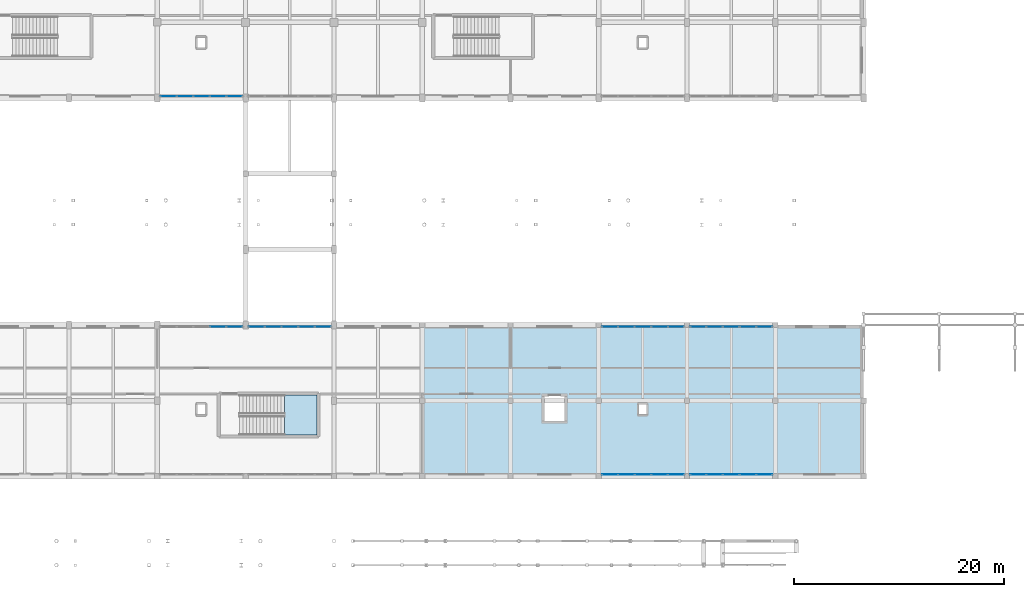
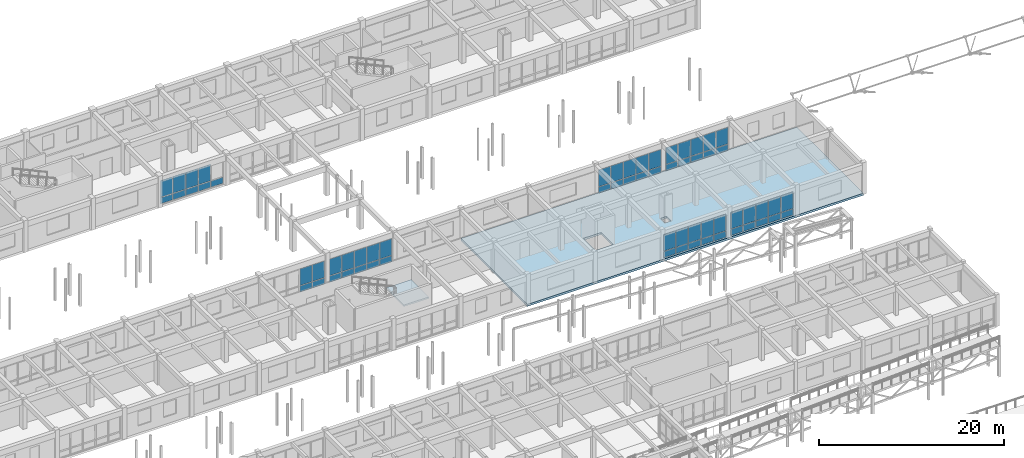
# One storey, part 61 of 90: 63 plates, 2 slabs, 8 elements without a shape of their own.
"""IFC4 building model written with IfcOpenShell, lengths in metres."""

from ifc_helpers import new_model, si_unit, direction, frame, origin, origin_2d, place, context, subcontext, project, spatial, polyline, rectangle, outline, extrude, material, layer, layer_set, type_object, element, aggregate, save


model = new_model("IFC4")

# Units and contexts
model_context = context("Model", 3, precision=1e-05, world=origin(), true_north=direction((0.0, 1.0)))
body_context = subcontext(model_context, "Body", "Model", "MODEL_VIEW")
ifc_project = project(units=[si_unit("LENGTHUNIT", "METRE"), si_unit("AREAUNIT", "SQUARE_METRE"), si_unit("VOLUMEUNIT", "CUBIC_METRE"), si_unit("PLANEANGLEUNIT", "RADIAN"), si_unit("MASSUNIT", "GRAM", prefix="KILO")], contexts=[model_context])

# Site, building, storey
site_placement = place(None, origin())
site = spatial("IfcSite", under=ifc_project, at=site_placement, CompositionType="ELEMENT")
building_placement = place(site_placement, origin())
building = spatial("IfcBuilding", under=site, at=building_placement, Name="Malvenik Polytechnic", CompositionType="ELEMENT")
storey_placement = place(building_placement, frame((0.0, 0.0, 9.300048828125)))
storey = spatial("IfcBuildingStorey", under=building, at=storey_placement, Name="L02", CompositionType="ELEMENT", Elevation=9.300048828125)

# Curtain wall, plates
ifc_material_1 = material(Name="Anodised aluminium 6060-T6", Category="aluminium")
curtain_wall_type = type_object("IfcCurtainWallType", Name="ARC-CW-CW-03", PredefinedType="NOTDEFINED", material=ifc_material_1)
curtain_wall_1_placement = place(storey_placement, origin())
curtain_wall_1 = element("IfcCurtainWall", 1, at=curtain_wall_1_placement, inside=storey, type_object=curtain_wall_type, Name="Unitised Curtain Wall CW-03 L02 #147", PredefinedType="NOTDEFINED")
ifc_material_2 = material(Name="Triple solar-control glazing 8-14-6-14-8", Category="glass")
ifc_layer_1 = layer(ifc_material_2, 0.035888671875)
ifc_layer_set_1 = layer_set([ifc_layer_1], Name="Triple solar-control glazing 8-14-6-14-8")
plate_type_1 = type_object("IfcPlateType", Name="ARC-CWP-CP-GLZ36", PredefinedType="CURTAIN_PANEL", material=ifc_layer_set_1)
plate_1_placement = place(storey_placement, frame((124.946533203125, 79.3701171875, 0.929931640625), z_axis=(0.0, 0.0, 1.0), x_axis=(-1.0, 0.0, 0.0)))
plate_1 = element("IfcPlate", 2, at=plate_1_placement, type_object=plate_type_1, Name="CW-03 panel 1.2", PredefinedType="CURTAIN_PANEL", context=body_context, shape_type="SweptSolid", body=[
    extrude(rectangle(XDim=1.49072265625, YDim=0.028076171875, at=origin_2d()), origin(), (0.0, 0.0, 1.0), 2.18994140625),
])
plate_2_placement = place(storey_placement, frame((123.380859375, 79.3701171875, 0.929931640625), z_axis=(0.0, 0.0, 1.0), x_axis=(-1.0, 0.0, 0.0)))
plate_2 = element("IfcPlate", 3, at=plate_2_placement, type_object=plate_type_1, Name="CW-03 panel 2.2", PredefinedType="CURTAIN_PANEL", context=body_context, shape_type="SweptSolid", body=[
    extrude(rectangle(XDim=1.520751953125, YDim=0.028076171875, at=origin_2d()), origin(), (0.0, 0.0, 1.0), 2.18994140625),
])
plate_3_placement = place(storey_placement, frame((121.800048828125, 79.3701171875, 0.929931640625), z_axis=(0.0, 0.0, 1.0), x_axis=(-1.0, 0.0, 0.0)))
plate_3 = element("IfcPlate", 4, at=plate_3_placement, type_object=plate_type_1, Name="CW-03 panel 3.2", PredefinedType="CURTAIN_PANEL", context=body_context, shape_type="SweptSolid", body=[
    extrude(rectangle(XDim=1.520751953125, YDim=0.028076171875, at=origin_2d()), origin(), (0.0, 0.0, 1.0), 2.18994140625),
])
plate_4_placement = place(storey_placement, frame((120.21923828125, 79.3701171875, 0.929931640625), z_axis=(0.0, 0.0, 1.0), x_axis=(-1.0, 0.0, 0.0)))
plate_4 = element("IfcPlate", 5, at=plate_4_placement, type_object=plate_type_1, Name="CW-03 panel 4.2", PredefinedType="CURTAIN_PANEL", context=body_context, shape_type="SweptSolid", body=[
    extrude(rectangle(XDim=1.520751953125, YDim=0.028076171875, at=origin_2d()), origin(), (0.0, 0.0, 1.0), 2.18994140625),
])
plate_5_placement = place(storey_placement, frame((118.6533203125, 79.3701171875, 0.929931640625), z_axis=(0.0, 0.0, 1.0), x_axis=(-1.0, 0.0, 0.0)))
plate_5 = element("IfcPlate", 6, at=plate_5_placement, type_object=plate_type_1, Name="CW-03 panel 5.2", PredefinedType="CURTAIN_PANEL", context=body_context, shape_type="SweptSolid", body=[
    extrude(rectangle(XDim=1.49072265625, YDim=0.028076171875, at=origin_2d()), origin(), (0.0, 0.0, 1.0), 2.18994140625),
])

curtain_wall_2_placement = place(storey_placement, origin())
curtain_wall_2 = element("IfcCurtainWall", 7, at=curtain_wall_2_placement, inside=storey, type_object=curtain_wall_type, Name="Unitised Curtain Wall CW-03 L02 #148", PredefinedType="NOTDEFINED")
plate_6_placement = place(storey_placement, frame((116.546630859375, 79.3701171875, 0.929931640625), z_axis=(0.0, 0.0, 1.0), x_axis=(-1.0, 0.0, 0.0)))
plate_6 = element("IfcPlate", 8, at=plate_6_placement, type_object=plate_type_1, Name="CW-03 panel 1.2", PredefinedType="CURTAIN_PANEL", context=body_context, shape_type="SweptSolid", body=[
    extrude(rectangle(XDim=1.49072265625, YDim=0.028076171875, at=origin_2d()), origin(), (0.0, 0.0, 1.0), 2.18994140625),
])
plate_7_placement = place(storey_placement, frame((114.980712890625, 79.3701171875, 0.929931640625), z_axis=(0.0, 0.0, 1.0), x_axis=(-1.0, 0.0, 0.0)))
plate_7 = element("IfcPlate", 9, at=plate_7_placement, type_object=plate_type_1, Name="CW-03 panel 2.2", PredefinedType="CURTAIN_PANEL", context=body_context, shape_type="SweptSolid", body=[
    extrude(rectangle(XDim=1.520751953125, YDim=0.028076171875, at=origin_2d()), origin(), (0.0, 0.0, 1.0), 2.18994140625),
])
plate_8_placement = place(storey_placement, frame((113.39990234375, 79.3701171875, 0.929931640625), z_axis=(0.0, 0.0, 1.0), x_axis=(-1.0, 0.0, 0.0)))
plate_8 = element("IfcPlate", 10, at=plate_8_placement, type_object=plate_type_1, Name="CW-03 panel 3.2", PredefinedType="CURTAIN_PANEL", context=body_context, shape_type="SweptSolid", body=[
    extrude(rectangle(XDim=1.520751953125, YDim=0.028076171875, at=origin_2d()), origin(), (0.0, 0.0, 1.0), 2.18994140625),
])
plate_9_placement = place(storey_placement, frame((111.819091796875, 79.3701171875, 0.929931640625), z_axis=(0.0, 0.0, 1.0), x_axis=(-1.0, 0.0, 0.0)))
plate_9 = element("IfcPlate", 11, at=plate_9_placement, type_object=plate_type_1, Name="CW-03 panel 4.2", PredefinedType="CURTAIN_PANEL", context=body_context, shape_type="SweptSolid", body=[
    extrude(rectangle(XDim=1.520751953125, YDim=0.028076171875, at=origin_2d()), origin(), (0.0, 0.0, 1.0), 2.18994140625),
])
plate_10_placement = place(storey_placement, frame((110.25341796875, 79.3701171875, 0.929931640625), z_axis=(0.0, 0.0, 1.0), x_axis=(-1.0, 0.0, 0.0)))
plate_10 = element("IfcPlate", 12, at=plate_10_placement, type_object=plate_type_1, Name="CW-03 panel 5.2", PredefinedType="CURTAIN_PANEL", context=body_context, shape_type="SweptSolid", body=[
    extrude(rectangle(XDim=1.49072265625, YDim=0.028076171875, at=origin_2d()), origin(), (0.0, 0.0, 1.0), 2.18994140625),
])

curtain_wall_3_placement = place(storey_placement, origin())
curtain_wall_3 = element("IfcCurtainWall", 13, at=curtain_wall_3_placement, inside=storey, type_object=curtain_wall_type, Name="Unitised Curtain Wall CW-03 L02 #153", PredefinedType="NOTDEFINED")
plate_11_placement = place(storey_placement, frame((72.980712890625, 93.429931640625, 0.929931640625), z_axis=(0.0, 0.0, 1.0), x_axis=(1.0, 0.0, 0.0)))
plate_11 = element("IfcPlate", 14, at=plate_11_placement, type_object=plate_type_1, Name="CW-03 panel 4.2", PredefinedType="CURTAIN_PANEL", context=body_context, shape_type="SweptSolid", body=[
    extrude(rectangle(XDim=1.520751953125, YDim=0.028076171875, at=origin_2d()), origin(), (0.0, 0.0, 1.0), 2.18994140625),
])
plate_12_placement = place(storey_placement, frame((74.546630859375, 93.429931640625, 0.929931640625), z_axis=(0.0, 0.0, 1.0), x_axis=(1.0, 0.0, 0.0)))
plate_12 = element("IfcPlate", 15, at=plate_12_placement, type_object=plate_type_1, Name="CW-03 panel 5.2", PredefinedType="CURTAIN_PANEL", context=body_context, shape_type="SweptSolid", body=[
    extrude(rectangle(XDim=1.49072265625, YDim=0.028076171875, at=origin_2d()), origin(), (0.0, 0.0, 1.0), 2.18994140625),
])

curtain_wall_4_placement = place(storey_placement, origin())
curtain_wall_4 = element("IfcCurtainWall", 16, at=curtain_wall_4_placement, inside=storey, type_object=curtain_wall_type, Name="Unitised Curtain Wall CW-03 L02 #154", PredefinedType="NOTDEFINED")
plate_13_placement = place(storey_placement, frame((76.6533203125, 93.429931640625, 0.929931640625), z_axis=(0.0, 0.0, 1.0), x_axis=(1.0, 0.0, 0.0)))
plate_13 = element("IfcPlate", 17, at=plate_13_placement, type_object=plate_type_1, Name="CW-03 panel 1.2", PredefinedType="CURTAIN_PANEL", context=body_context, shape_type="SweptSolid", body=[
    extrude(rectangle(XDim=1.49072265625, YDim=0.028076171875, at=origin_2d()), origin(), (0.0, 0.0, 1.0), 2.18994140625),
])
plate_14_placement = place(storey_placement, frame((78.21923828125, 93.429931640625, 0.929931640625), z_axis=(0.0, 0.0, 1.0), x_axis=(1.0, 0.0, 0.0)))
plate_14 = element("IfcPlate", 18, at=plate_14_placement, type_object=plate_type_1, Name="CW-03 panel 2.2", PredefinedType="CURTAIN_PANEL", context=body_context, shape_type="SweptSolid", body=[
    extrude(rectangle(XDim=1.520751953125, YDim=0.028076171875, at=origin_2d()), origin(), (0.0, 0.0, 1.0), 2.18994140625),
])
plate_15_placement = place(storey_placement, frame((79.800048828125, 93.429931640625, 0.929931640625), z_axis=(0.0, 0.0, 1.0), x_axis=(1.0, 0.0, 0.0)))
plate_15 = element("IfcPlate", 19, at=plate_15_placement, type_object=plate_type_1, Name="CW-03 panel 3.2", PredefinedType="CURTAIN_PANEL", context=body_context, shape_type="SweptSolid", body=[
    extrude(rectangle(XDim=1.520751953125, YDim=0.028076171875, at=origin_2d()), origin(), (0.0, 0.0, 1.0), 2.18994140625),
])
plate_16_placement = place(storey_placement, frame((81.380859375, 93.429931640625, 0.929931640625), z_axis=(0.0, 0.0, 1.0), x_axis=(1.0, 0.0, 0.0)))
plate_16 = element("IfcPlate", 20, at=plate_16_placement, type_object=plate_type_1, Name="CW-03 panel 4.2", PredefinedType="CURTAIN_PANEL", context=body_context, shape_type="SweptSolid", body=[
    extrude(rectangle(XDim=1.520751953125, YDim=0.028076171875, at=origin_2d()), origin(), (0.0, 0.0, 1.0), 2.18994140625),
])
plate_17_placement = place(storey_placement, frame((82.946533203125, 93.429931640625, 0.929931640625), z_axis=(0.0, 0.0, 1.0), x_axis=(1.0, 0.0, 0.0)))
plate_17 = element("IfcPlate", 21, at=plate_17_placement, type_object=plate_type_1, Name="CW-03 panel 5.2", PredefinedType="CURTAIN_PANEL", context=body_context, shape_type="SweptSolid", body=[
    extrude(rectangle(XDim=1.49072265625, YDim=0.028076171875, at=origin_2d()), origin(), (0.0, 0.0, 1.0), 2.18994140625),
])

curtain_wall_5_placement = place(storey_placement, origin())
curtain_wall_5 = element("IfcCurtainWall", 22, at=curtain_wall_5_placement, inside=storey, type_object=curtain_wall_type, Name="Unitised Curtain Wall CW-03 L02 #155", PredefinedType="NOTDEFINED")
plate_18_placement = place(storey_placement, frame((110.25341796875, 93.429931640625, 0.929931640625), z_axis=(0.0, 0.0, 1.0), x_axis=(1.0, 0.0, 0.0)))
plate_18 = element("IfcPlate", 23, at=plate_18_placement, type_object=plate_type_1, Name="CW-03 panel 1.2", PredefinedType="CURTAIN_PANEL", context=body_context, shape_type="SweptSolid", body=[
    extrude(rectangle(XDim=1.49072265625, YDim=0.028076171875, at=origin_2d()), origin(), (0.0, 0.0, 1.0), 2.18994140625),
])
plate_19_placement = place(storey_placement, frame((111.819091796875, 93.429931640625, 0.929931640625), z_axis=(0.0, 0.0, 1.0), x_axis=(1.0, 0.0, 0.0)))
plate_19 = element("IfcPlate", 24, at=plate_19_placement, type_object=plate_type_1, Name="CW-03 panel 2.2", PredefinedType="CURTAIN_PANEL", context=body_context, shape_type="SweptSolid", body=[
    extrude(rectangle(XDim=1.520751953125, YDim=0.028076171875, at=origin_2d()), origin(), (0.0, 0.0, 1.0), 2.18994140625),
])
plate_20_placement = place(storey_placement, frame((113.39990234375, 93.429931640625, 0.929931640625), z_axis=(0.0, 0.0, 1.0), x_axis=(1.0, 0.0, 0.0)))
plate_20 = element("IfcPlate", 25, at=plate_20_placement, type_object=plate_type_1, Name="CW-03 panel 3.2", PredefinedType="CURTAIN_PANEL", context=body_context, shape_type="SweptSolid", body=[
    extrude(rectangle(XDim=1.520751953125, YDim=0.028076171875, at=origin_2d()), origin(), (0.0, 0.0, 1.0), 2.18994140625),
])
plate_21_placement = place(storey_placement, frame((114.980712890625, 93.429931640625, 0.929931640625), z_axis=(0.0, 0.0, 1.0), x_axis=(1.0, 0.0, 0.0)))
plate_21 = element("IfcPlate", 26, at=plate_21_placement, type_object=plate_type_1, Name="CW-03 panel 4.2", PredefinedType="CURTAIN_PANEL", context=body_context, shape_type="SweptSolid", body=[
    extrude(rectangle(XDim=1.520751953125, YDim=0.028076171875, at=origin_2d()), origin(), (0.0, 0.0, 1.0), 2.18994140625),
])
plate_22_placement = place(storey_placement, frame((116.546630859375, 93.429931640625, 0.929931640625), z_axis=(0.0, 0.0, 1.0), x_axis=(1.0, 0.0, 0.0)))
plate_22 = element("IfcPlate", 27, at=plate_22_placement, type_object=plate_type_1, Name="CW-03 panel 5.2", PredefinedType="CURTAIN_PANEL", context=body_context, shape_type="SweptSolid", body=[
    extrude(rectangle(XDim=1.49072265625, YDim=0.028076171875, at=origin_2d()), origin(), (0.0, 0.0, 1.0), 2.18994140625),
])

curtain_wall_6_placement = place(storey_placement, origin())
curtain_wall_6 = element("IfcCurtainWall", 28, at=curtain_wall_6_placement, inside=storey, type_object=curtain_wall_type, Name="Unitised Curtain Wall CW-03 L02 #156", PredefinedType="NOTDEFINED")
plate_23_placement = place(storey_placement, frame((118.6533203125, 93.429931640625, 0.929931640625), z_axis=(0.0, 0.0, 1.0), x_axis=(1.0, 0.0, 0.0)))
plate_23 = element("IfcPlate", 29, at=plate_23_placement, type_object=plate_type_1, Name="CW-03 panel 1.2", PredefinedType="CURTAIN_PANEL", context=body_context, shape_type="SweptSolid", body=[
    extrude(rectangle(XDim=1.49072265625, YDim=0.028076171875, at=origin_2d()), origin(), (0.0, 0.0, 1.0), 2.18994140625),
])
plate_24_placement = place(storey_placement, frame((120.21923828125, 93.429931640625, 0.929931640625), z_axis=(0.0, 0.0, 1.0), x_axis=(1.0, 0.0, 0.0)))
plate_24 = element("IfcPlate", 30, at=plate_24_placement, type_object=plate_type_1, Name="CW-03 panel 2.2", PredefinedType="CURTAIN_PANEL", context=body_context, shape_type="SweptSolid", body=[
    extrude(rectangle(XDim=1.520751953125, YDim=0.028076171875, at=origin_2d()), origin(), (0.0, 0.0, 1.0), 2.18994140625),
])
plate_25_placement = place(storey_placement, frame((121.800048828125, 93.429931640625, 0.929931640625), z_axis=(0.0, 0.0, 1.0), x_axis=(1.0, 0.0, 0.0)))
plate_25 = element("IfcPlate", 31, at=plate_25_placement, type_object=plate_type_1, Name="CW-03 panel 3.2", PredefinedType="CURTAIN_PANEL", context=body_context, shape_type="SweptSolid", body=[
    extrude(rectangle(XDim=1.520751953125, YDim=0.028076171875, at=origin_2d()), origin(), (0.0, 0.0, 1.0), 2.18994140625),
])
plate_26_placement = place(storey_placement, frame((123.380859375, 93.429931640625, 0.929931640625), z_axis=(0.0, 0.0, 1.0), x_axis=(1.0, 0.0, 0.0)))
plate_26 = element("IfcPlate", 32, at=plate_26_placement, type_object=plate_type_1, Name="CW-03 panel 4.2", PredefinedType="CURTAIN_PANEL", context=body_context, shape_type="SweptSolid", body=[
    extrude(rectangle(XDim=1.520751953125, YDim=0.028076171875, at=origin_2d()), origin(), (0.0, 0.0, 1.0), 2.18994140625),
])
plate_27_placement = place(storey_placement, frame((124.946533203125, 93.429931640625, 0.929931640625), z_axis=(0.0, 0.0, 1.0), x_axis=(1.0, 0.0, 0.0)))
plate_27 = element("IfcPlate", 33, at=plate_27_placement, type_object=plate_type_1, Name="CW-03 panel 5.2", PredefinedType="CURTAIN_PANEL", context=body_context, shape_type="SweptSolid", body=[
    extrude(rectangle(XDim=1.49072265625, YDim=0.028076171875, at=origin_2d()), origin(), (0.0, 0.0, 1.0), 2.18994140625),
])

curtain_wall_7_placement = place(storey_placement, origin())
curtain_wall_7 = element("IfcCurtainWall", 34, at=curtain_wall_7_placement, inside=storey, type_object=curtain_wall_type, Name="Unitised Curtain Wall CW-03 L02 #160", PredefinedType="NOTDEFINED")
plate_28_placement = place(storey_placement, frame((72.980712890625, 115.3701171875, 0.929931640625), z_axis=(0.0, 0.0, 1.0), x_axis=(-1.0, 0.0, 0.0)))
plate_28 = element("IfcPlate", 35, at=plate_28_placement, type_object=plate_type_1, Name="CW-03 panel 2.2", PredefinedType="CURTAIN_PANEL", context=body_context, shape_type="SweptSolid", body=[
    extrude(rectangle(XDim=1.520751953125, YDim=0.028076171875, at=origin_2d()), origin(), (0.0, 0.0, 1.0), 2.18994140625),
])
plate_29_placement = place(storey_placement, frame((71.39990234375, 115.3701171875, 0.929931640625), z_axis=(0.0, 0.0, 1.0), x_axis=(-1.0, 0.0, 0.0)))
plate_29 = element("IfcPlate", 36, at=plate_29_placement, type_object=plate_type_1, Name="CW-03 panel 3.2", PredefinedType="CURTAIN_PANEL", context=body_context, shape_type="SweptSolid", body=[
    extrude(rectangle(XDim=1.520751953125, YDim=0.028076171875, at=origin_2d()), origin(), (0.0, 0.0, 1.0), 2.18994140625),
])
plate_30_placement = place(storey_placement, frame((69.819091796875, 115.3701171875, 0.929931640625), z_axis=(0.0, 0.0, 1.0), x_axis=(-1.0, 0.0, 0.0)))
plate_30 = element("IfcPlate", 37, at=plate_30_placement, type_object=plate_type_1, Name="CW-03 panel 4.2", PredefinedType="CURTAIN_PANEL", context=body_context, shape_type="SweptSolid", body=[
    extrude(rectangle(XDim=1.520751953125, YDim=0.028076171875, at=origin_2d()), origin(), (0.0, 0.0, 1.0), 2.18994140625),
])
plate_31_placement = place(storey_placement, frame((68.25341796875, 115.3701171875, 0.929931640625), z_axis=(0.0, 0.0, 1.0), x_axis=(-1.0, 0.0, 0.0)))
plate_31 = element("IfcPlate", 38, at=plate_31_placement, type_object=plate_type_1, Name="CW-03 panel 5.2", PredefinedType="CURTAIN_PANEL", context=body_context, shape_type="SweptSolid", body=[
    extrude(rectangle(XDim=1.49072265625, YDim=0.028076171875, at=origin_2d()), origin(), (0.0, 0.0, 1.0), 2.18994140625),
])

# Plate
ifc_material_3 = material(Name="Insulated aluminium spandrel cassette 42mm", Category="aluminium")
ifc_layer_2 = layer(ifc_material_3, 0.0419921875)
ifc_layer_set_2 = layer_set([ifc_layer_2], Name="Insulated aluminium spandrel cassette 42mm")
plate_type_2 = type_object("IfcPlateType", Name="ARC-CWP-CP-SPN42", PredefinedType="CURTAIN_PANEL", material=ifc_layer_set_2)
plate_32_placement = place(storey_placement, frame((124.946533203125, 79.3701171875, 0.059814453125), z_axis=(0.0, 0.0, 1.0), x_axis=(-1.0, 0.0, 0.0)))
plate_32 = element("IfcPlate", 39, at=plate_32_placement, type_object=plate_type_2, Name="CW-03 panel 1.1", PredefinedType="CURTAIN_PANEL", context=body_context, shape_type="SweptSolid", body=[
    extrude(rectangle(XDim=1.49072265625, YDim=0.028076171875, at=origin_2d()), origin(), (0.0, 0.0, 1.0), 0.81005859375),
])

plate_33_placement = place(storey_placement, frame((123.380859375, 79.3701171875, 0.059814453125), z_axis=(0.0, 0.0, 1.0), x_axis=(-1.0, 0.0, 0.0)))
plate_33 = element("IfcPlate", 40, at=plate_33_placement, type_object=plate_type_2, Name="CW-03 panel 2.1", PredefinedType="CURTAIN_PANEL", context=body_context, shape_type="SweptSolid", body=[
    extrude(rectangle(XDim=1.520751953125, YDim=0.028076171875, at=origin_2d()), origin(), (0.0, 0.0, 1.0), 0.81005859375),
])

plate_34_placement = place(storey_placement, frame((121.800048828125, 79.3701171875, 0.059814453125), z_axis=(0.0, 0.0, 1.0), x_axis=(-1.0, 0.0, 0.0)))
plate_34 = element("IfcPlate", 41, at=plate_34_placement, type_object=plate_type_2, Name="CW-03 panel 3.1", PredefinedType="CURTAIN_PANEL", context=body_context, shape_type="SweptSolid", body=[
    extrude(rectangle(XDim=1.520751953125, YDim=0.028076171875, at=origin_2d()), origin(), (0.0, 0.0, 1.0), 0.81005859375),
])

plate_35_placement = place(storey_placement, frame((120.21923828125, 79.3701171875, 0.059814453125), z_axis=(0.0, 0.0, 1.0), x_axis=(-1.0, 0.0, 0.0)))
plate_35 = element("IfcPlate", 42, at=plate_35_placement, type_object=plate_type_2, Name="CW-03 panel 4.1", PredefinedType="CURTAIN_PANEL", context=body_context, shape_type="SweptSolid", body=[
    extrude(rectangle(XDim=1.520751953125, YDim=0.028076171875, at=origin_2d()), origin(), (0.0, 0.0, 1.0), 0.81005859375),
])

plate_36_placement = place(storey_placement, frame((118.6533203125, 79.3701171875, 0.059814453125), z_axis=(0.0, 0.0, 1.0), x_axis=(-1.0, 0.0, 0.0)))
plate_36 = element("IfcPlate", 43, at=plate_36_placement, type_object=plate_type_2, Name="CW-03 panel 5.1", PredefinedType="CURTAIN_PANEL", context=body_context, shape_type="SweptSolid", body=[
    extrude(rectangle(XDim=1.49072265625, YDim=0.028076171875, at=origin_2d()), origin(), (0.0, 0.0, 1.0), 0.81005859375),
])

aggregate(curtain_wall_1, [plate_32, plate_1, plate_33, plate_2, plate_34, plate_3, plate_35, plate_4, plate_36, plate_5])

plate_37_placement = place(storey_placement, frame((116.546630859375, 79.3701171875, 0.059814453125), z_axis=(0.0, 0.0, 1.0), x_axis=(-1.0, 0.0, 0.0)))
plate_37 = element("IfcPlate", 44, at=plate_37_placement, type_object=plate_type_2, Name="CW-03 panel 1.1", PredefinedType="CURTAIN_PANEL", context=body_context, shape_type="SweptSolid", body=[
    extrude(rectangle(XDim=1.49072265625, YDim=0.028076171875, at=origin_2d()), origin(), (0.0, 0.0, 1.0), 0.81005859375),
])

plate_38_placement = place(storey_placement, frame((114.980712890625, 79.3701171875, 0.059814453125), z_axis=(0.0, 0.0, 1.0), x_axis=(-1.0, 0.0, 0.0)))
plate_38 = element("IfcPlate", 45, at=plate_38_placement, type_object=plate_type_2, Name="CW-03 panel 2.1", PredefinedType="CURTAIN_PANEL", context=body_context, shape_type="SweptSolid", body=[
    extrude(rectangle(XDim=1.520751953125, YDim=0.028076171875, at=origin_2d()), origin(), (0.0, 0.0, 1.0), 0.81005859375),
])

plate_39_placement = place(storey_placement, frame((113.39990234375, 79.3701171875, 0.059814453125), z_axis=(0.0, 0.0, 1.0), x_axis=(-1.0, 0.0, 0.0)))
plate_39 = element("IfcPlate", 46, at=plate_39_placement, type_object=plate_type_2, Name="CW-03 panel 3.1", PredefinedType="CURTAIN_PANEL", context=body_context, shape_type="SweptSolid", body=[
    extrude(rectangle(XDim=1.520751953125, YDim=0.028076171875, at=origin_2d()), origin(), (0.0, 0.0, 1.0), 0.81005859375),
])

plate_40_placement = place(storey_placement, frame((111.819091796875, 79.3701171875, 0.059814453125), z_axis=(0.0, 0.0, 1.0), x_axis=(-1.0, 0.0, 0.0)))
plate_40 = element("IfcPlate", 47, at=plate_40_placement, type_object=plate_type_2, Name="CW-03 panel 4.1", PredefinedType="CURTAIN_PANEL", context=body_context, shape_type="SweptSolid", body=[
    extrude(rectangle(XDim=1.520751953125, YDim=0.028076171875, at=origin_2d()), origin(), (0.0, 0.0, 1.0), 0.81005859375),
])

plate_41_placement = place(storey_placement, frame((110.25341796875, 79.3701171875, 0.059814453125), z_axis=(0.0, 0.0, 1.0), x_axis=(-1.0, 0.0, 0.0)))
plate_41 = element("IfcPlate", 48, at=plate_41_placement, type_object=plate_type_2, Name="CW-03 panel 5.1", PredefinedType="CURTAIN_PANEL", context=body_context, shape_type="SweptSolid", body=[
    extrude(rectangle(XDim=1.49072265625, YDim=0.028076171875, at=origin_2d()), origin(), (0.0, 0.0, 1.0), 0.81005859375),
])

aggregate(curtain_wall_2, [plate_37, plate_6, plate_38, plate_7, plate_39, plate_8, plate_40, plate_9, plate_41, plate_10])

plate_42_placement = place(storey_placement, frame((72.980712890625, 93.429931640625, 0.059814453125), z_axis=(0.0, 0.0, 1.0), x_axis=(1.0, 0.0, 0.0)))
plate_42 = element("IfcPlate", 49, at=plate_42_placement, type_object=plate_type_2, Name="CW-03 panel 4.1", PredefinedType="CURTAIN_PANEL", context=body_context, shape_type="SweptSolid", body=[
    extrude(rectangle(XDim=1.520751953125, YDim=0.028076171875, at=origin_2d()), origin(), (0.0, 0.0, 1.0), 0.81005859375),
])

plate_43_placement = place(storey_placement, frame((74.546630859375, 93.429931640625, 0.059814453125), z_axis=(0.0, 0.0, 1.0), x_axis=(1.0, 0.0, 0.0)))
plate_43 = element("IfcPlate", 50, at=plate_43_placement, type_object=plate_type_2, Name="CW-03 panel 5.1", PredefinedType="CURTAIN_PANEL", context=body_context, shape_type="SweptSolid", body=[
    extrude(rectangle(XDim=1.49072265625, YDim=0.028076171875, at=origin_2d()), origin(), (0.0, 0.0, 1.0), 0.81005859375),
])

aggregate(curtain_wall_3, [plate_42, plate_11, plate_43, plate_12])

plate_44_placement = place(storey_placement, frame((76.6533203125, 93.429931640625, 0.059814453125), z_axis=(0.0, 0.0, 1.0), x_axis=(1.0, 0.0, 0.0)))
plate_44 = element("IfcPlate", 51, at=plate_44_placement, type_object=plate_type_2, Name="CW-03 panel 1.1", PredefinedType="CURTAIN_PANEL", context=body_context, shape_type="SweptSolid", body=[
    extrude(rectangle(XDim=1.49072265625, YDim=0.028076171875, at=origin_2d()), origin(), (0.0, 0.0, 1.0), 0.81005859375),
])

plate_45_placement = place(storey_placement, frame((78.21923828125, 93.429931640625, 0.059814453125), z_axis=(0.0, 0.0, 1.0), x_axis=(1.0, 0.0, 0.0)))
plate_45 = element("IfcPlate", 52, at=plate_45_placement, type_object=plate_type_2, Name="CW-03 panel 2.1", PredefinedType="CURTAIN_PANEL", context=body_context, shape_type="SweptSolid", body=[
    extrude(rectangle(XDim=1.520751953125, YDim=0.028076171875, at=origin_2d()), origin(), (0.0, 0.0, 1.0), 0.81005859375),
])

plate_46_placement = place(storey_placement, frame((79.800048828125, 93.429931640625, 0.059814453125), z_axis=(0.0, 0.0, 1.0), x_axis=(1.0, 0.0, 0.0)))
plate_46 = element("IfcPlate", 53, at=plate_46_placement, type_object=plate_type_2, Name="CW-03 panel 3.1", PredefinedType="CURTAIN_PANEL", context=body_context, shape_type="SweptSolid", body=[
    extrude(rectangle(XDim=1.520751953125, YDim=0.028076171875, at=origin_2d()), origin(), (0.0, 0.0, 1.0), 0.81005859375),
])

plate_47_placement = place(storey_placement, frame((81.380859375, 93.429931640625, 0.059814453125), z_axis=(0.0, 0.0, 1.0), x_axis=(1.0, 0.0, 0.0)))
plate_47 = element("IfcPlate", 54, at=plate_47_placement, type_object=plate_type_2, Name="CW-03 panel 4.1", PredefinedType="CURTAIN_PANEL", context=body_context, shape_type="SweptSolid", body=[
    extrude(rectangle(XDim=1.520751953125, YDim=0.028076171875, at=origin_2d()), origin(), (0.0, 0.0, 1.0), 0.81005859375),
])

plate_48_placement = place(storey_placement, frame((82.946533203125, 93.429931640625, 0.059814453125), z_axis=(0.0, 0.0, 1.0), x_axis=(1.0, 0.0, 0.0)))
plate_48 = element("IfcPlate", 55, at=plate_48_placement, type_object=plate_type_2, Name="CW-03 panel 5.1", PredefinedType="CURTAIN_PANEL", context=body_context, shape_type="SweptSolid", body=[
    extrude(rectangle(XDim=1.49072265625, YDim=0.028076171875, at=origin_2d()), origin(), (0.0, 0.0, 1.0), 0.81005859375),
])

aggregate(curtain_wall_4, [plate_44, plate_13, plate_45, plate_14, plate_46, plate_15, plate_47, plate_16, plate_48, plate_17])

plate_49_placement = place(storey_placement, frame((110.25341796875, 93.429931640625, 0.059814453125), z_axis=(0.0, 0.0, 1.0), x_axis=(1.0, 0.0, 0.0)))
plate_49 = element("IfcPlate", 56, at=plate_49_placement, type_object=plate_type_2, Name="CW-03 panel 1.1", PredefinedType="CURTAIN_PANEL", context=body_context, shape_type="SweptSolid", body=[
    extrude(rectangle(XDim=1.49072265625, YDim=0.028076171875, at=origin_2d()), origin(), (0.0, 0.0, 1.0), 0.81005859375),
])

plate_50_placement = place(storey_placement, frame((111.819091796875, 93.429931640625, 0.059814453125), z_axis=(0.0, 0.0, 1.0), x_axis=(1.0, 0.0, 0.0)))
plate_50 = element("IfcPlate", 57, at=plate_50_placement, type_object=plate_type_2, Name="CW-03 panel 2.1", PredefinedType="CURTAIN_PANEL", context=body_context, shape_type="SweptSolid", body=[
    extrude(rectangle(XDim=1.520751953125, YDim=0.028076171875, at=origin_2d()), origin(), (0.0, 0.0, 1.0), 0.81005859375),
])

plate_51_placement = place(storey_placement, frame((113.39990234375, 93.429931640625, 0.059814453125), z_axis=(0.0, 0.0, 1.0), x_axis=(1.0, 0.0, 0.0)))
plate_51 = element("IfcPlate", 58, at=plate_51_placement, type_object=plate_type_2, Name="CW-03 panel 3.1", PredefinedType="CURTAIN_PANEL", context=body_context, shape_type="SweptSolid", body=[
    extrude(rectangle(XDim=1.520751953125, YDim=0.028076171875, at=origin_2d()), origin(), (0.0, 0.0, 1.0), 0.81005859375),
])

plate_52_placement = place(storey_placement, frame((114.980712890625, 93.429931640625, 0.059814453125), z_axis=(0.0, 0.0, 1.0), x_axis=(1.0, 0.0, 0.0)))
plate_52 = element("IfcPlate", 59, at=plate_52_placement, type_object=plate_type_2, Name="CW-03 panel 4.1", PredefinedType="CURTAIN_PANEL", context=body_context, shape_type="SweptSolid", body=[
    extrude(rectangle(XDim=1.520751953125, YDim=0.028076171875, at=origin_2d()), origin(), (0.0, 0.0, 1.0), 0.81005859375),
])

plate_53_placement = place(storey_placement, frame((116.546630859375, 93.429931640625, 0.059814453125), z_axis=(0.0, 0.0, 1.0), x_axis=(1.0, 0.0, 0.0)))
plate_53 = element("IfcPlate", 60, at=plate_53_placement, type_object=plate_type_2, Name="CW-03 panel 5.1", PredefinedType="CURTAIN_PANEL", context=body_context, shape_type="SweptSolid", body=[
    extrude(rectangle(XDim=1.49072265625, YDim=0.028076171875, at=origin_2d()), origin(), (0.0, 0.0, 1.0), 0.81005859375),
])

aggregate(curtain_wall_5, [plate_49, plate_18, plate_50, plate_19, plate_51, plate_20, plate_52, plate_21, plate_53, plate_22])

plate_54_placement = place(storey_placement, frame((118.6533203125, 93.429931640625, 0.059814453125), z_axis=(0.0, 0.0, 1.0), x_axis=(1.0, 0.0, 0.0)))
plate_54 = element("IfcPlate", 61, at=plate_54_placement, type_object=plate_type_2, Name="CW-03 panel 1.1", PredefinedType="CURTAIN_PANEL", context=body_context, shape_type="SweptSolid", body=[
    extrude(rectangle(XDim=1.49072265625, YDim=0.028076171875, at=origin_2d()), origin(), (0.0, 0.0, 1.0), 0.81005859375),
])

plate_55_placement = place(storey_placement, frame((120.21923828125, 93.429931640625, 0.059814453125), z_axis=(0.0, 0.0, 1.0), x_axis=(1.0, 0.0, 0.0)))
plate_55 = element("IfcPlate", 62, at=plate_55_placement, type_object=plate_type_2, Name="CW-03 panel 2.1", PredefinedType="CURTAIN_PANEL", context=body_context, shape_type="SweptSolid", body=[
    extrude(rectangle(XDim=1.520751953125, YDim=0.028076171875, at=origin_2d()), origin(), (0.0, 0.0, 1.0), 0.81005859375),
])

plate_56_placement = place(storey_placement, frame((121.800048828125, 93.429931640625, 0.059814453125), z_axis=(0.0, 0.0, 1.0), x_axis=(1.0, 0.0, 0.0)))
plate_56 = element("IfcPlate", 63, at=plate_56_placement, type_object=plate_type_2, Name="CW-03 panel 3.1", PredefinedType="CURTAIN_PANEL", context=body_context, shape_type="SweptSolid", body=[
    extrude(rectangle(XDim=1.520751953125, YDim=0.028076171875, at=origin_2d()), origin(), (0.0, 0.0, 1.0), 0.81005859375),
])

plate_57_placement = place(storey_placement, frame((123.380859375, 93.429931640625, 0.059814453125), z_axis=(0.0, 0.0, 1.0), x_axis=(1.0, 0.0, 0.0)))
plate_57 = element("IfcPlate", 64, at=plate_57_placement, type_object=plate_type_2, Name="CW-03 panel 4.1", PredefinedType="CURTAIN_PANEL", context=body_context, shape_type="SweptSolid", body=[
    extrude(rectangle(XDim=1.520751953125, YDim=0.028076171875, at=origin_2d()), origin(), (0.0, 0.0, 1.0), 0.81005859375),
])

plate_58_placement = place(storey_placement, frame((124.946533203125, 93.429931640625, 0.059814453125), z_axis=(0.0, 0.0, 1.0), x_axis=(1.0, 0.0, 0.0)))
plate_58 = element("IfcPlate", 65, at=plate_58_placement, type_object=plate_type_2, Name="CW-03 panel 5.1", PredefinedType="CURTAIN_PANEL", context=body_context, shape_type="SweptSolid", body=[
    extrude(rectangle(XDim=1.49072265625, YDim=0.028076171875, at=origin_2d()), origin(), (0.0, 0.0, 1.0), 0.81005859375),
])

aggregate(curtain_wall_6, [plate_54, plate_23, plate_55, plate_24, plate_56, plate_25, plate_57, plate_26, plate_58, plate_27])

plate_59_placement = place(storey_placement, frame((74.546630859375, 115.3701171875, 0.059814453125), z_axis=(0.0, 0.0, 1.0), x_axis=(-1.0, 0.0, 0.0)))
plate_59 = element("IfcPlate", 66, at=plate_59_placement, type_object=plate_type_2, Name="CW-03 panel 1.1", PredefinedType="CURTAIN_PANEL", context=body_context, shape_type="SweptSolid", body=[
    extrude(rectangle(XDim=1.49072265625, YDim=0.028076171875, at=origin_2d()), origin(), (0.0, 0.0, 1.0), 0.81005859375),
])

plate_60_placement = place(storey_placement, frame((72.980712890625, 115.3701171875, 0.059814453125), z_axis=(0.0, 0.0, 1.0), x_axis=(-1.0, 0.0, 0.0)))
plate_60 = element("IfcPlate", 67, at=plate_60_placement, type_object=plate_type_2, Name="CW-03 panel 2.1", PredefinedType="CURTAIN_PANEL", context=body_context, shape_type="SweptSolid", body=[
    extrude(rectangle(XDim=1.520751953125, YDim=0.028076171875, at=origin_2d()), origin(), (0.0, 0.0, 1.0), 0.81005859375),
])

plate_61_placement = place(storey_placement, frame((71.39990234375, 115.3701171875, 0.059814453125), z_axis=(0.0, 0.0, 1.0), x_axis=(-1.0, 0.0, 0.0)))
plate_61 = element("IfcPlate", 68, at=plate_61_placement, type_object=plate_type_2, Name="CW-03 panel 3.1", PredefinedType="CURTAIN_PANEL", context=body_context, shape_type="SweptSolid", body=[
    extrude(rectangle(XDim=1.520751953125, YDim=0.028076171875, at=origin_2d()), origin(), (0.0, 0.0, 1.0), 0.81005859375),
])

plate_62_placement = place(storey_placement, frame((69.819091796875, 115.3701171875, 0.059814453125), z_axis=(0.0, 0.0, 1.0), x_axis=(-1.0, 0.0, 0.0)))
plate_62 = element("IfcPlate", 69, at=plate_62_placement, type_object=plate_type_2, Name="CW-03 panel 4.1", PredefinedType="CURTAIN_PANEL", context=body_context, shape_type="SweptSolid", body=[
    extrude(rectangle(XDim=1.520751953125, YDim=0.028076171875, at=origin_2d()), origin(), (0.0, 0.0, 1.0), 0.81005859375),
])

plate_63_placement = place(storey_placement, frame((68.25341796875, 115.3701171875, 0.059814453125), z_axis=(0.0, 0.0, 1.0), x_axis=(-1.0, 0.0, 0.0)))
plate_63 = element("IfcPlate", 70, at=plate_63_placement, type_object=plate_type_2, Name="CW-03 panel 5.1", PredefinedType="CURTAIN_PANEL", context=body_context, shape_type="SweptSolid", body=[
    extrude(rectangle(XDim=1.49072265625, YDim=0.028076171875, at=origin_2d()), origin(), (0.0, 0.0, 1.0), 0.81005859375),
])

aggregate(curtain_wall_7, [plate_59, plate_60, plate_28, plate_61, plate_29, plate_62, plate_30, plate_63, plate_31])

# Stair, slab
ifc_material_4 = material(Name="Concrete C35/45", Category="concrete")
stair_type = type_object("IfcStairType", Name="ARC-STR-ST-05", PredefinedType="HALF_TURN_STAIR", material=ifc_material_4)
stair_placement = place(storey_placement, origin())
stair = element("IfcStair", 71, at=stair_placement, inside=storey, type_object=stair_type, Name="L02 Escape Stair ST-05", PredefinedType="HALF_TURN_STAIR")
ifc_layer_3 = layer(ifc_material_4, 0.199951171875)
ifc_layer_set_3 = layer_set([ifc_layer_3], Name="Concrete C35/45")
slab_type_1 = type_object("IfcSlabType", Name="ARC-SLB-STLND", PredefinedType="LANDING", material=ifc_layer_set_3)
slab_1_placement = place(storey_placement, frame((0.0, 0.0, 1.89990234375)))
slab_1 = element("IfcSlab", 72, at=slab_1_placement, type_object=slab_type_1, Name="ST-05 landing 1", PredefinedType="LANDING", context=body_context, shape_type="SweptSolid", body=[
    extrude(outline(polyline([(79.2900390625, 83.14990234375), (82.39990234375, 83.14990234375), (82.39990234375, 86.949951171875), (79.2900390625, 86.949951171875), (79.2900390625, 83.14990234375)])), origin(), (0.0, 0.0, 1.0), 0.199951171875),
])
aggregate(stair, [slab_1])

# Slab
ifc_layer_4 = layer(ifc_material_4, 0.280029296875)
ifc_layer_set_4 = layer_set([ifc_layer_4], Name="Concrete C35/45")
slab_type_2 = type_object("IfcSlabType", Name="STR-SLB-FLR-280", PredefinedType="FLOOR", material=ifc_layer_set_4)
slab_2_placement = place(storey_placement, frame((0.0, 0.0, -0.280029296875)))
element("IfcSlab", 73, at=slab_2_placement, inside=storey, type_object=slab_type_2, Name="Structural Slab L02-V2 #72", PredefinedType="FLOOR", context=body_context, shape_type="SweptSolid", body=[
    extrude(outline(polyline([(134.3798828125, 93.60009765625), (134.3798828125, 79.199951171875), (92.419921875, 79.199951171875), (92.419921875, 93.60009765625), (134.3798828125, 93.60009765625)]), holes=[polyline([(113.0, 86.050048828125), (113.0, 85.10009765625), (113.75, 85.10009765625), (113.75, 86.050048828125), (113.0, 86.050048828125)]), polyline([(106.10009765625, 86.949951171875), (103.89990234375, 86.949951171875), (103.89990234375, 84.35009765625), (106.10009765625, 84.35009765625), (106.10009765625, 86.949951171875)])]), origin(), (0.0, 0.0, 1.0), 0.280029296875),
])

save(model, "model.ifc")
